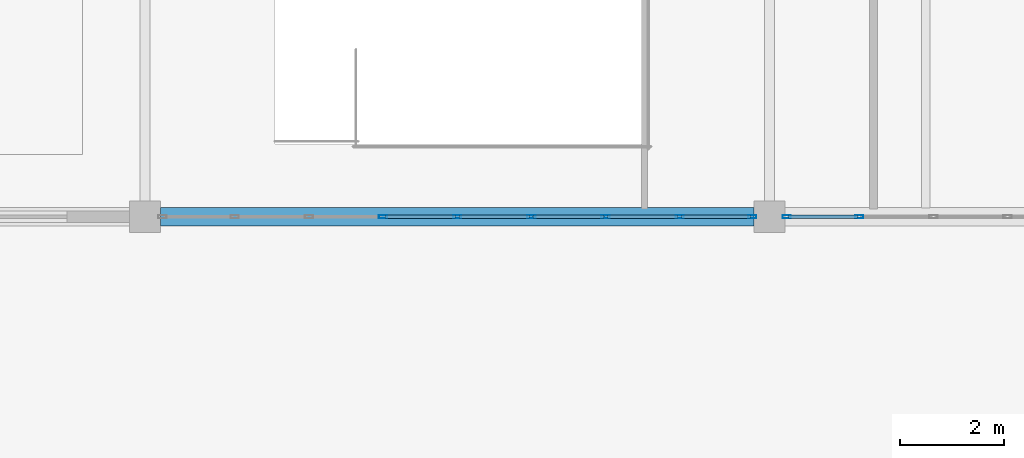
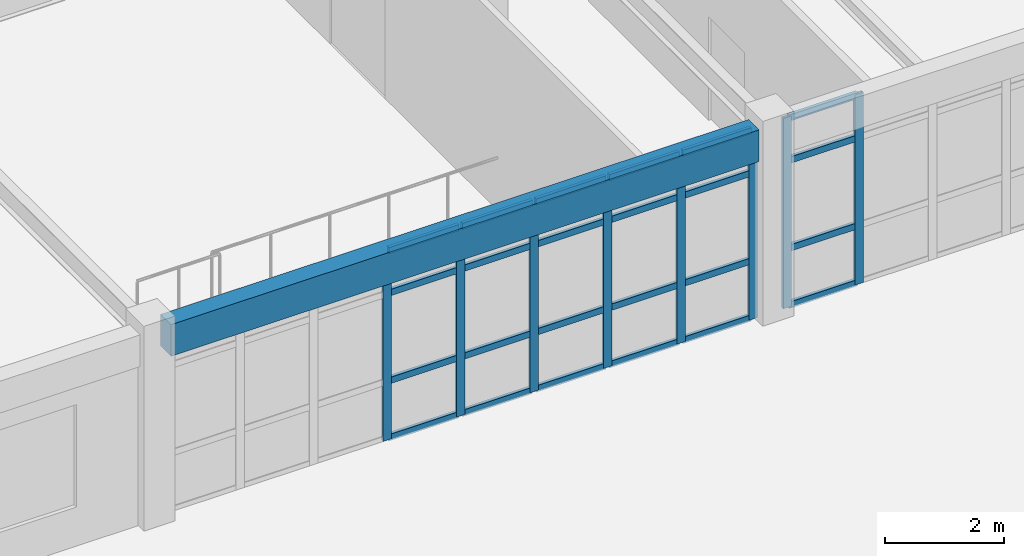
# One storey, part 28 of 83: 32 members, 1 beam, 2 elements without a shape of their own.
"""IFC4 building model written with IfcOpenShell, lengths in metres."""

from ifc_helpers import new_model, si_unit, direction, frame, origin, origin_2d, place, context, subcontext, project, spatial, rectangle, hollow_rectangle, extrude, material, layer, layer_set, material_profile, profile_set, type_object, element, aggregate, save


model = new_model("IFC4")

# Units and contexts
model_context = context("Model", 3, precision=1e-05, world=origin(), true_north=direction((0.0, 1.0)))
body_context = subcontext(model_context, "Body", "Model", "MODEL_VIEW")
ifc_project = project(units=[si_unit("LENGTHUNIT", "METRE"), si_unit("AREAUNIT", "SQUARE_METRE"), si_unit("VOLUMEUNIT", "CUBIC_METRE"), si_unit("PLANEANGLEUNIT", "RADIAN"), si_unit("MASSUNIT", "GRAM", prefix="KILO")], contexts=[model_context])

# Site, building, storey
site_placement = place(None, origin())
site = spatial("IfcSite", under=ifc_project, at=site_placement, CompositionType="ELEMENT")
building_placement = place(site_placement, origin())
building = spatial("IfcBuilding", under=site, at=building_placement, Name="Pandanus Reach Market Hall", CompositionType="ELEMENT")
storey_placement = place(building_placement, frame((0.0, 0.0, 10.199951171875)))
storey = spatial("IfcBuildingStorey", under=building, at=storey_placement, Name="L02", CompositionType="ELEMENT", Elevation=10.199951171875)

# Beam
ifc_material_1 = material(Name="Concrete N40 (40 MPa)", Category="concrete")
ifc_material_profile_1 = material_profile(ifc_material_1, rectangle(XDim=0.35009765625, YDim=0.64990234375, at=origin_2d()), Name="RC350x650", Category="LoadBearing")
ifc_profile_set_1 = profile_set([ifc_material_profile_1], Name="Concrete N40 (40 MPa)")
beam_type = type_object("IfcBeamType", Name="BM-RC350-E", PredefinedType="SPANDREL", material=ifc_profile_set_1)
beam_placement = place(storey_placement, frame((156.298095703125, 19.199951171875, 3.625), z_axis=(1.0, 0.0, 0.0), x_axis=(0.0, 1.0, 0.0)))
element("IfcBeam", 1, at=beam_placement, inside=storey, type_object=beam_type, Name="Framing beam BM-RC350-E L02.438", PredefinedType="SPANDREL", context=body_context, shape_type="SweptSolid", body=[
    extrude(rectangle(XDim=0.35009765625, YDim=0.64990234375, at=origin_2d()), origin(), (0.0, 0.0, 1.0), 11.40380859375),
])

# Curtain wall, members
ifc_material_2 = material(Name="Bronze anodised aluminium and low-E glass", Category="aluminium")
ifc_layer = layer(ifc_material_2, 0.159912109375, Name="CW-30")
ifc_layer_set = layer_set([ifc_layer], Name="Bronze anodised aluminium and low-E glass")
curtain_wall_type = type_object("IfcCurtainWallType", Name="CW-30", PredefinedType="NOTDEFINED", material=ifc_layer_set)
curtain_wall_1_placement = place(storey_placement, origin())
curtain_wall_1 = element("IfcCurtainWall", 2, at=curtain_wall_1_placement, inside=storey, type_object=curtain_wall_type, Name="Glazed curtain wall CW-30 CW-0100", PredefinedType="NOTDEFINED")
ifc_material_3 = material(Name="Bronze anodised aluminium", Category="aluminium")
ifc_material_profile_2 = material_profile(ifc_material_3, hollow_rectangle(XDim=0.06494140625, YDim=0.159912109375, WallThickness=0.00390625, at=origin_2d()), Name="ALU65x160", Category="LoadBearing")
ifc_profile_set_2 = profile_set([ifc_material_profile_2], Name="Bronze anodised aluminium")
member_type_1 = type_object("IfcMemberType", Name="CW-M1", PredefinedType="MULLION", material=ifc_profile_set_2)
member_1_placement = place(storey_placement, frame((160.574951171875, 19.199951171875, 0.0), z_axis=(0.0, 0.0, 1.0), x_axis=(0.0, 1.0, 0.0)))
member_1 = element("IfcMember", 3, at=member_1_placement, type_object=member_type_1, Name="CW-30 mullion 4", PredefinedType="MULLION", context=body_context, shape_type="SweptSolid", body=[
    extrude(hollow_rectangle(XDim=0.06494140625, YDim=0.159912109375, WallThickness=0.00390625, at=origin_2d()), origin(), (0.0, 0.0, 1.0), 3.900146484375),
])
member_2_placement = place(storey_placement, frame((162.0, 19.199951171875, 0.0), z_axis=(0.0, 0.0, 1.0), x_axis=(0.0, 1.0, 0.0)))
member_2 = element("IfcMember", 4, at=member_2_placement, type_object=member_type_1, Name="CW-30 mullion 5", PredefinedType="MULLION", context=body_context, shape_type="SweptSolid", body=[
    extrude(hollow_rectangle(XDim=0.06494140625, YDim=0.159912109375, WallThickness=0.00390625, at=origin_2d()), origin(), (0.0, 0.0, 1.0), 3.900146484375),
])
member_3_placement = place(storey_placement, frame((163.425048828125, 19.199951171875, 0.0), z_axis=(0.0, 0.0, 1.0), x_axis=(0.0, 1.0, 0.0)))
member_3 = element("IfcMember", 5, at=member_3_placement, type_object=member_type_1, Name="CW-30 mullion 6", PredefinedType="MULLION", context=body_context, shape_type="SweptSolid", body=[
    extrude(hollow_rectangle(XDim=0.06494140625, YDim=0.159912109375, WallThickness=0.00390625, at=origin_2d()), origin(), (0.0, 0.0, 1.0), 3.900146484375),
])
member_4_placement = place(storey_placement, frame((164.85009765625, 19.199951171875, 0.0), z_axis=(0.0, 0.0, 1.0), x_axis=(0.0, 1.0, 0.0)))
member_4 = element("IfcMember", 6, at=member_4_placement, type_object=member_type_1, Name="CW-30 mullion 7", PredefinedType="MULLION", context=body_context, shape_type="SweptSolid", body=[
    extrude(hollow_rectangle(XDim=0.06494140625, YDim=0.159912109375, WallThickness=0.00390625, at=origin_2d()), origin(), (0.0, 0.0, 1.0), 3.900146484375),
])
member_5_placement = place(storey_placement, frame((166.27490234375, 19.199951171875, 0.0), z_axis=(0.0, 0.0, 1.0), x_axis=(0.0, 1.0, 0.0)))
member_5 = element("IfcMember", 7, at=member_5_placement, type_object=member_type_1, Name="CW-30 mullion 8", PredefinedType="MULLION", context=body_context, shape_type="SweptSolid", body=[
    extrude(hollow_rectangle(XDim=0.06494140625, YDim=0.159912109375, WallThickness=0.00390625, at=origin_2d()), origin(), (0.0, 0.0, 1.0), 3.900146484375),
])
member_6_placement = place(storey_placement, frame((167.66748046875, 19.199951171875, 0.0), z_axis=(0.0, 0.0, 1.0), x_axis=(0.0, 1.0, 0.0)))
member_6 = element("IfcMember", 8, at=member_6_placement, type_object=member_type_1, Name="CW-30 mullion 9", PredefinedType="MULLION", context=body_context, shape_type="SweptSolid", body=[
    extrude(hollow_rectangle(XDim=0.06494140625, YDim=0.159912109375, WallThickness=0.00390625, at=origin_2d()), origin(), (0.0, 0.0, 1.0), 3.900146484375),
])

curtain_wall_2_placement = place(storey_placement, origin())
curtain_wall_2 = element("IfcCurtainWall", 9, at=curtain_wall_2_placement, inside=storey, type_object=curtain_wall_type, Name="Glazed curtain wall CW-30 CW-0101", PredefinedType="NOTDEFINED")
member_7_placement = place(storey_placement, frame((168.33251953125, 19.199951171875, 0.0), z_axis=(0.0, 0.0, 1.0), x_axis=(0.0, 1.0, 0.0)))
member_7 = element("IfcMember", 10, at=member_7_placement, type_object=member_type_1, Name="CW-30 mullion 1", PredefinedType="MULLION", context=body_context, shape_type="SweptSolid", body=[
    extrude(hollow_rectangle(XDim=0.06494140625, YDim=0.159912109375, WallThickness=0.00390625, at=origin_2d()), origin(), (0.0, 0.0, 1.0), 3.900146484375),
])
member_8_placement = place(storey_placement, frame((169.72509765625, 19.199951171875, 0.0), z_axis=(0.0, 0.0, 1.0), x_axis=(0.0, 1.0, 0.0)))
member_8 = element("IfcMember", 11, at=member_8_placement, type_object=member_type_1, Name="CW-30 mullion 2", PredefinedType="MULLION", context=body_context, shape_type="SweptSolid", body=[
    extrude(hollow_rectangle(XDim=0.06494140625, YDim=0.159912109375, WallThickness=0.00390625, at=origin_2d()), origin(), (0.0, 0.0, 1.0), 3.900146484375),
])

# Member
ifc_material_profile_3 = material_profile(ifc_material_3, hollow_rectangle(XDim=0.06494140625, YDim=0.1298828125, WallThickness=0.00390625, at=origin_2d()), Name="ALU65x130", Category="LoadBearing")
ifc_profile_set_3 = profile_set([ifc_material_profile_3], Name="Bronze anodised aluminium")
member_type_2 = type_object("IfcMemberType", Name="CW-T1", PredefinedType="USERDEFINED", material=ifc_profile_set_3)
member_9_placement = place(storey_placement, frame((160.607421875, 19.199951171875, 0.032470703125), z_axis=(1.0, 0.0, 0.0), x_axis=(0.0, 1.0, 0.0)))
member_9 = element("IfcMember", 12, at=member_9_placement, type_object=member_type_2, Name="CW-30 transom 4.1", ObjectType="TRANSOM", PredefinedType="USERDEFINED", context=body_context, shape_type="SweptSolid", body=[
    extrude(hollow_rectangle(XDim=0.06494140625, YDim=0.1298828125, WallThickness=0.00390625, at=origin_2d()), origin(), (0.0, 0.0, 1.0), 1.360107421875),
])

member_10_placement = place(storey_placement, frame((160.607421875, 19.199951171875, 1.199951171875), z_axis=(1.0, 0.0, 0.0), x_axis=(0.0, 1.0, 0.0)))
member_10 = element("IfcMember", 13, at=member_10_placement, type_object=member_type_2, Name="CW-30 transom 4.2", ObjectType="TRANSOM", PredefinedType="USERDEFINED", context=body_context, shape_type="SweptSolid", body=[
    extrude(hollow_rectangle(XDim=0.06494140625, YDim=0.1298828125, WallThickness=0.00390625, at=origin_2d()), origin(), (0.0, 0.0, 1.0), 1.360107421875),
])

member_11_placement = place(storey_placement, frame((160.607421875, 19.199951171875, 3.0), z_axis=(1.0, 0.0, 0.0), x_axis=(0.0, 1.0, 0.0)))
member_11 = element("IfcMember", 14, at=member_11_placement, type_object=member_type_2, Name="CW-30 transom 4.3", ObjectType="TRANSOM", PredefinedType="USERDEFINED", context=body_context, shape_type="SweptSolid", body=[
    extrude(hollow_rectangle(XDim=0.06494140625, YDim=0.1298828125, WallThickness=0.00390625, at=origin_2d()), origin(), (0.0, 0.0, 1.0), 1.360107421875),
])

member_12_placement = place(storey_placement, frame((160.607421875, 19.199951171875, 3.867431640625), z_axis=(1.0, 0.0, 0.0), x_axis=(0.0, 1.0, 0.0)))
member_12 = element("IfcMember", 15, at=member_12_placement, type_object=member_type_2, Name="CW-30 transom 4.4", ObjectType="TRANSOM", PredefinedType="USERDEFINED", context=body_context, shape_type="SweptSolid", body=[
    extrude(hollow_rectangle(XDim=0.06494140625, YDim=0.1298828125, WallThickness=0.00390625, at=origin_2d()), origin(), (0.0, 0.0, 1.0), 1.360107421875),
])

member_13_placement = place(storey_placement, frame((162.032470703125, 19.199951171875, 0.032470703125), z_axis=(1.0, 0.0, 0.0), x_axis=(0.0, 1.0, 0.0)))
member_13 = element("IfcMember", 16, at=member_13_placement, type_object=member_type_2, Name="CW-30 transom 5.1", ObjectType="TRANSOM", PredefinedType="USERDEFINED", context=body_context, shape_type="SweptSolid", body=[
    extrude(hollow_rectangle(XDim=0.06494140625, YDim=0.1298828125, WallThickness=0.00390625, at=origin_2d()), origin(), (0.0, 0.0, 1.0), 1.360107421875),
])

member_14_placement = place(storey_placement, frame((162.032470703125, 19.199951171875, 1.199951171875), z_axis=(1.0, 0.0, 0.0), x_axis=(0.0, 1.0, 0.0)))
member_14 = element("IfcMember", 17, at=member_14_placement, type_object=member_type_2, Name="CW-30 transom 5.2", ObjectType="TRANSOM", PredefinedType="USERDEFINED", context=body_context, shape_type="SweptSolid", body=[
    extrude(hollow_rectangle(XDim=0.06494140625, YDim=0.1298828125, WallThickness=0.00390625, at=origin_2d()), origin(), (0.0, 0.0, 1.0), 1.360107421875),
])

member_15_placement = place(storey_placement, frame((162.032470703125, 19.199951171875, 3.0), z_axis=(1.0, 0.0, 0.0), x_axis=(0.0, 1.0, 0.0)))
member_15 = element("IfcMember", 18, at=member_15_placement, type_object=member_type_2, Name="CW-30 transom 5.3", ObjectType="TRANSOM", PredefinedType="USERDEFINED", context=body_context, shape_type="SweptSolid", body=[
    extrude(hollow_rectangle(XDim=0.06494140625, YDim=0.1298828125, WallThickness=0.00390625, at=origin_2d()), origin(), (0.0, 0.0, 1.0), 1.360107421875),
])

member_16_placement = place(storey_placement, frame((162.032470703125, 19.199951171875, 3.867431640625), z_axis=(1.0, 0.0, 0.0), x_axis=(0.0, 1.0, 0.0)))
member_16 = element("IfcMember", 19, at=member_16_placement, type_object=member_type_2, Name="CW-30 transom 5.4", ObjectType="TRANSOM", PredefinedType="USERDEFINED", context=body_context, shape_type="SweptSolid", body=[
    extrude(hollow_rectangle(XDim=0.06494140625, YDim=0.1298828125, WallThickness=0.00390625, at=origin_2d()), origin(), (0.0, 0.0, 1.0), 1.360107421875),
])

member_17_placement = place(storey_placement, frame((163.45751953125, 19.199951171875, 0.032470703125), z_axis=(1.0, 0.0, 0.0), x_axis=(0.0, 1.0, 0.0)))
member_17 = element("IfcMember", 20, at=member_17_placement, type_object=member_type_2, Name="CW-30 transom 6.1", ObjectType="TRANSOM", PredefinedType="USERDEFINED", context=body_context, shape_type="SweptSolid", body=[
    extrude(hollow_rectangle(XDim=0.06494140625, YDim=0.1298828125, WallThickness=0.00390625, at=origin_2d()), origin(), (0.0, 0.0, 1.0), 1.35986328125),
])

member_18_placement = place(storey_placement, frame((163.45751953125, 19.199951171875, 1.199951171875), z_axis=(1.0, 0.0, 0.0), x_axis=(0.0, 1.0, 0.0)))
member_18 = element("IfcMember", 21, at=member_18_placement, type_object=member_type_2, Name="CW-30 transom 6.2", ObjectType="TRANSOM", PredefinedType="USERDEFINED", context=body_context, shape_type="SweptSolid", body=[
    extrude(hollow_rectangle(XDim=0.06494140625, YDim=0.1298828125, WallThickness=0.00390625, at=origin_2d()), origin(), (0.0, 0.0, 1.0), 1.35986328125),
])

member_19_placement = place(storey_placement, frame((163.45751953125, 19.199951171875, 3.0), z_axis=(1.0, 0.0, 0.0), x_axis=(0.0, 1.0, 0.0)))
member_19 = element("IfcMember", 22, at=member_19_placement, type_object=member_type_2, Name="CW-30 transom 6.3", ObjectType="TRANSOM", PredefinedType="USERDEFINED", context=body_context, shape_type="SweptSolid", body=[
    extrude(hollow_rectangle(XDim=0.06494140625, YDim=0.1298828125, WallThickness=0.00390625, at=origin_2d()), origin(), (0.0, 0.0, 1.0), 1.35986328125),
])

member_20_placement = place(storey_placement, frame((163.45751953125, 19.199951171875, 3.867431640625), z_axis=(1.0, 0.0, 0.0), x_axis=(0.0, 1.0, 0.0)))
member_20 = element("IfcMember", 23, at=member_20_placement, type_object=member_type_2, Name="CW-30 transom 6.4", ObjectType="TRANSOM", PredefinedType="USERDEFINED", context=body_context, shape_type="SweptSolid", body=[
    extrude(hollow_rectangle(XDim=0.06494140625, YDim=0.1298828125, WallThickness=0.00390625, at=origin_2d()), origin(), (0.0, 0.0, 1.0), 1.35986328125),
])

member_21_placement = place(storey_placement, frame((164.882568359375, 19.199951171875, 0.032470703125), z_axis=(1.0, 0.0, 0.0), x_axis=(0.0, 1.0, 0.0)))
member_21 = element("IfcMember", 24, at=member_21_placement, type_object=member_type_2, Name="CW-30 transom 7.1", ObjectType="TRANSOM", PredefinedType="USERDEFINED", context=body_context, shape_type="SweptSolid", body=[
    extrude(hollow_rectangle(XDim=0.06494140625, YDim=0.1298828125, WallThickness=0.00390625, at=origin_2d()), origin(), (0.0, 0.0, 1.0), 1.35986328125),
])

member_22_placement = place(storey_placement, frame((164.882568359375, 19.199951171875, 1.199951171875), z_axis=(1.0, 0.0, 0.0), x_axis=(0.0, 1.0, 0.0)))
member_22 = element("IfcMember", 25, at=member_22_placement, type_object=member_type_2, Name="CW-30 transom 7.2", ObjectType="TRANSOM", PredefinedType="USERDEFINED", context=body_context, shape_type="SweptSolid", body=[
    extrude(hollow_rectangle(XDim=0.06494140625, YDim=0.1298828125, WallThickness=0.00390625, at=origin_2d()), origin(), (0.0, 0.0, 1.0), 1.35986328125),
])

member_23_placement = place(storey_placement, frame((164.882568359375, 19.199951171875, 3.0), z_axis=(1.0, 0.0, 0.0), x_axis=(0.0, 1.0, 0.0)))
member_23 = element("IfcMember", 26, at=member_23_placement, type_object=member_type_2, Name="CW-30 transom 7.3", ObjectType="TRANSOM", PredefinedType="USERDEFINED", context=body_context, shape_type="SweptSolid", body=[
    extrude(hollow_rectangle(XDim=0.06494140625, YDim=0.1298828125, WallThickness=0.00390625, at=origin_2d()), origin(), (0.0, 0.0, 1.0), 1.35986328125),
])

member_24_placement = place(storey_placement, frame((164.882568359375, 19.199951171875, 3.867431640625), z_axis=(1.0, 0.0, 0.0), x_axis=(0.0, 1.0, 0.0)))
member_24 = element("IfcMember", 27, at=member_24_placement, type_object=member_type_2, Name="CW-30 transom 7.4", ObjectType="TRANSOM", PredefinedType="USERDEFINED", context=body_context, shape_type="SweptSolid", body=[
    extrude(hollow_rectangle(XDim=0.06494140625, YDim=0.1298828125, WallThickness=0.00390625, at=origin_2d()), origin(), (0.0, 0.0, 1.0), 1.35986328125),
])

member_25_placement = place(storey_placement, frame((166.3076171875, 19.199951171875, 0.032470703125), z_axis=(1.0, 0.0, 0.0), x_axis=(0.0, 1.0, 0.0)))
member_25 = element("IfcMember", 28, at=member_25_placement, type_object=member_type_2, Name="CW-30 transom 8.1", ObjectType="TRANSOM", PredefinedType="USERDEFINED", context=body_context, shape_type="SweptSolid", body=[
    extrude(hollow_rectangle(XDim=0.06494140625, YDim=0.1298828125, WallThickness=0.00390625, at=origin_2d()), origin(), (0.0, 0.0, 1.0), 1.327392578125),
])

member_26_placement = place(storey_placement, frame((166.3076171875, 19.199951171875, 1.199951171875), z_axis=(1.0, 0.0, 0.0), x_axis=(0.0, 1.0, 0.0)))
member_26 = element("IfcMember", 29, at=member_26_placement, type_object=member_type_2, Name="CW-30 transom 8.2", ObjectType="TRANSOM", PredefinedType="USERDEFINED", context=body_context, shape_type="SweptSolid", body=[
    extrude(hollow_rectangle(XDim=0.06494140625, YDim=0.1298828125, WallThickness=0.00390625, at=origin_2d()), origin(), (0.0, 0.0, 1.0), 1.327392578125),
])

member_27_placement = place(storey_placement, frame((166.3076171875, 19.199951171875, 3.0), z_axis=(1.0, 0.0, 0.0), x_axis=(0.0, 1.0, 0.0)))
member_27 = element("IfcMember", 30, at=member_27_placement, type_object=member_type_2, Name="CW-30 transom 8.3", ObjectType="TRANSOM", PredefinedType="USERDEFINED", context=body_context, shape_type="SweptSolid", body=[
    extrude(hollow_rectangle(XDim=0.06494140625, YDim=0.1298828125, WallThickness=0.00390625, at=origin_2d()), origin(), (0.0, 0.0, 1.0), 1.327392578125),
])

member_28_placement = place(storey_placement, frame((166.3076171875, 19.199951171875, 3.867431640625), z_axis=(1.0, 0.0, 0.0), x_axis=(0.0, 1.0, 0.0)))
member_28 = element("IfcMember", 31, at=member_28_placement, type_object=member_type_2, Name="CW-30 transom 8.4", ObjectType="TRANSOM", PredefinedType="USERDEFINED", context=body_context, shape_type="SweptSolid", body=[
    extrude(hollow_rectangle(XDim=0.06494140625, YDim=0.1298828125, WallThickness=0.00390625, at=origin_2d()), origin(), (0.0, 0.0, 1.0), 1.327392578125),
])

aggregate(curtain_wall_1, [member_1, member_2, member_3, member_4, member_5, member_6, member_9, member_10, member_11, member_12, member_13, member_14, member_15, member_16, member_17, member_18, member_19, member_20, member_21, member_22, member_23, member_24, member_25, member_26, member_27, member_28])

member_29_placement = place(storey_placement, frame((168.364990234375, 19.199951171875, 0.032470703125), z_axis=(1.0, 0.0, 0.0), x_axis=(0.0, 1.0, 0.0)))
member_29 = element("IfcMember", 32, at=member_29_placement, type_object=member_type_2, Name="CW-30 transom 1.1", ObjectType="TRANSOM", PredefinedType="USERDEFINED", context=body_context, shape_type="SweptSolid", body=[
    extrude(hollow_rectangle(XDim=0.06494140625, YDim=0.1298828125, WallThickness=0.00390625, at=origin_2d()), origin(), (0.0, 0.0, 1.0), 1.327392578125),
])

member_30_placement = place(storey_placement, frame((168.364990234375, 19.199951171875, 1.199951171875), z_axis=(1.0, 0.0, 0.0), x_axis=(0.0, 1.0, 0.0)))
member_30 = element("IfcMember", 33, at=member_30_placement, type_object=member_type_2, Name="CW-30 transom 1.2", ObjectType="TRANSOM", PredefinedType="USERDEFINED", context=body_context, shape_type="SweptSolid", body=[
    extrude(hollow_rectangle(XDim=0.06494140625, YDim=0.1298828125, WallThickness=0.00390625, at=origin_2d()), origin(), (0.0, 0.0, 1.0), 1.327392578125),
])

member_31_placement = place(storey_placement, frame((168.364990234375, 19.199951171875, 3.0), z_axis=(1.0, 0.0, 0.0), x_axis=(0.0, 1.0, 0.0)))
member_31 = element("IfcMember", 34, at=member_31_placement, type_object=member_type_2, Name="CW-30 transom 1.3", ObjectType="TRANSOM", PredefinedType="USERDEFINED", context=body_context, shape_type="SweptSolid", body=[
    extrude(hollow_rectangle(XDim=0.06494140625, YDim=0.1298828125, WallThickness=0.00390625, at=origin_2d()), origin(), (0.0, 0.0, 1.0), 1.327392578125),
])

member_32_placement = place(storey_placement, frame((168.364990234375, 19.199951171875, 3.867431640625), z_axis=(1.0, 0.0, 0.0), x_axis=(0.0, 1.0, 0.0)))
member_32 = element("IfcMember", 35, at=member_32_placement, type_object=member_type_2, Name="CW-30 transom 1.4", ObjectType="TRANSOM", PredefinedType="USERDEFINED", context=body_context, shape_type="SweptSolid", body=[
    extrude(hollow_rectangle(XDim=0.06494140625, YDim=0.1298828125, WallThickness=0.00390625, at=origin_2d()), origin(), (0.0, 0.0, 1.0), 1.327392578125),
])

aggregate(curtain_wall_2, [member_7, member_8, member_29, member_30, member_31, member_32])

save(model, "model.ifc")
